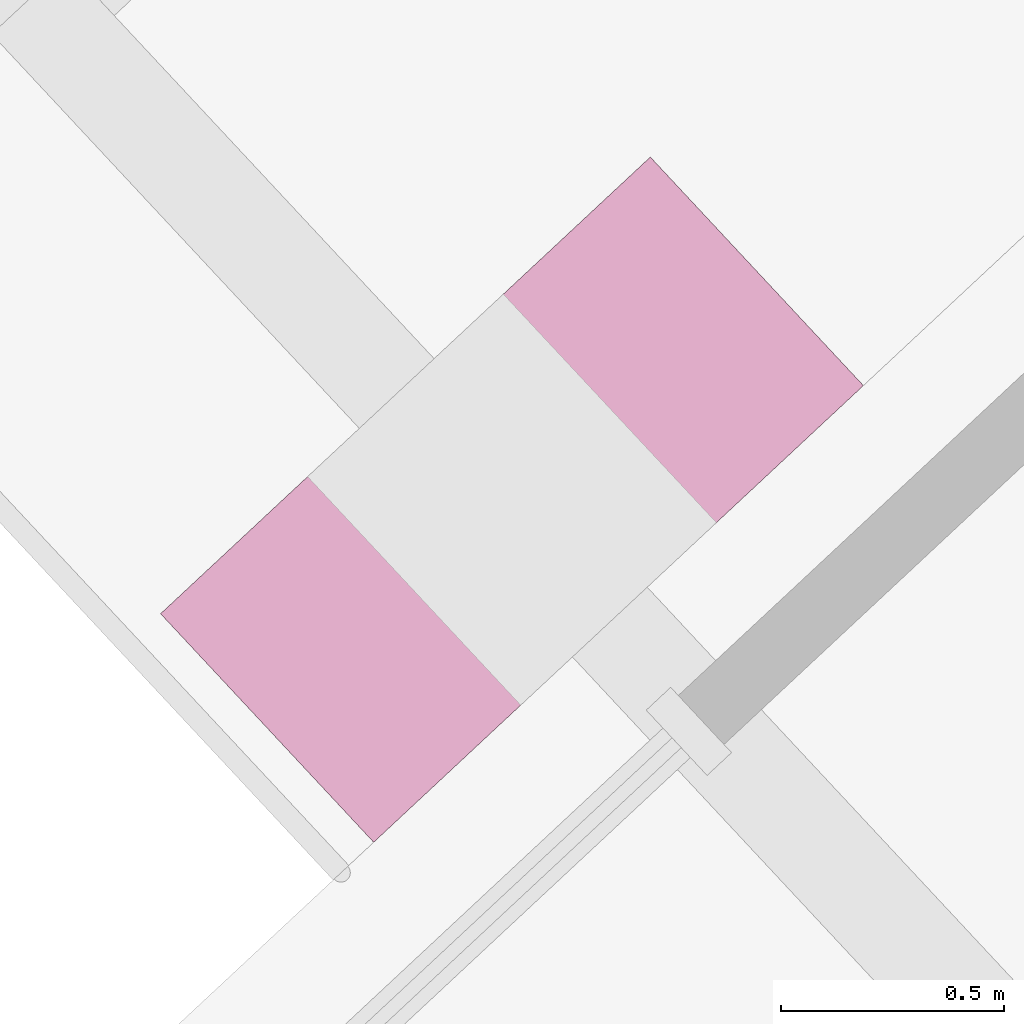
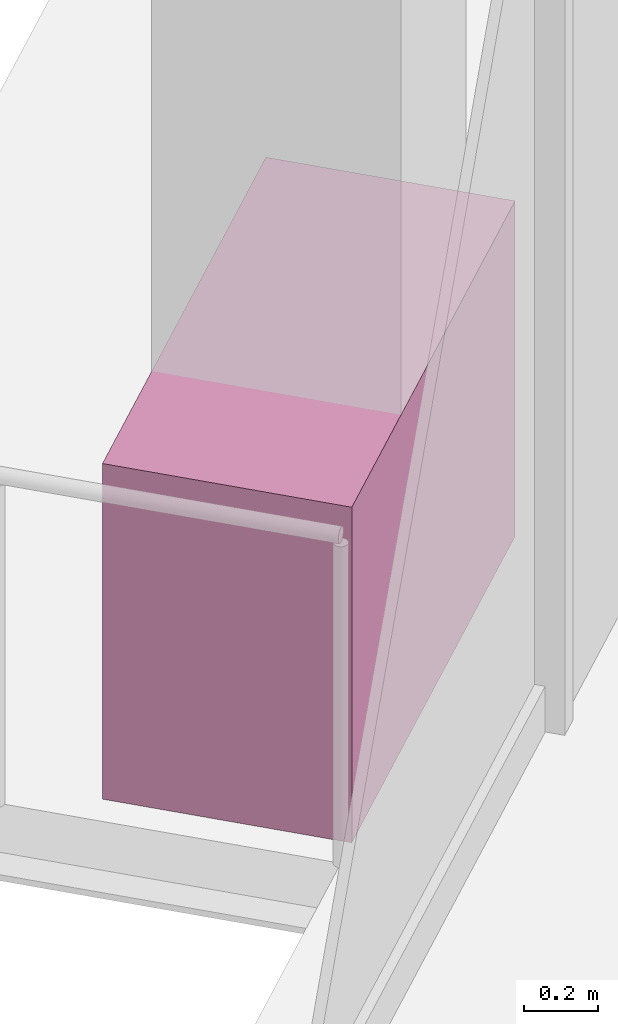
# One storey, part 16 of 17: 1 furniture element.
"""IFC4 building model written with IfcOpenShell, lengths in metres."""

from ifc_helpers import new_model, si_unit, direction, frame, origin, origin_2d, place, context, subcontext, project, spatial, rectangle, extrude, source, transform, mapped, material, type_object, element, save


model = new_model("IFC4")

# Units and contexts
model_context = context("Model", 3, precision=1e-05, world=origin(), true_north=direction((0.0, 1.0)))
body_context = subcontext(model_context, "Body", "Model", "MODEL_VIEW")
ifc_project = project(units=[si_unit("LENGTHUNIT", "METRE"), si_unit("AREAUNIT", "SQUARE_METRE"), si_unit("VOLUMEUNIT", "CUBIC_METRE"), si_unit("PLANEANGLEUNIT", "RADIAN"), si_unit("MASSUNIT", "GRAM", prefix="KILO")], contexts=[model_context])

# Site, building, storey
site_placement = place(None, origin())
site = spatial("IfcSite", under=ifc_project, at=site_placement, CompositionType="ELEMENT")
building_placement = place(site_placement, origin())
building = spatial("IfcBuilding", under=site, at=building_placement, Name="Triune Harvest Tower", CompositionType="ELEMENT")
storey_placement = place(building_placement, frame((0.0, 0.0, 123.5)))
storey = spatial("IfcBuildingStorey", under=building, at=storey_placement, Name="L31", CompositionType="ELEMENT", Elevation=123.5)

# Furniture
ifc_material = material(Name="Concrete 40 MPa", Category="concrete")
furniture_type = type_object("IfcFurnitureType", Name="PB-1 structural planter", AssemblyPlace="SITE", PredefinedType="USERDEFINED", material=ifc_material)
shared_shape = source(origin(), body_context, "Body", "SweptSolid", [
    extrude(rectangle(XDim=1.5, YDim=0.699951171875, at=origin_2d()), origin(), (0.0, 0.0, 1.0), 1.10009765625),
])
furniture_placement = place(storey_placement, frame((-15.444091796875, 16.60107421875, 0.0), z_axis=(0.0, 0.0, 1.0), x_axis=(-0.73135336394, -0.681998722179, 0.0)))
element("IfcFurniture", 1, at=furniture_placement, inside=storey, type_object=furniture_type, Name="Planter B3-F3 L31.6b", ObjectType="PLANTER", PredefinedType="USERDEFINED", context=body_context, shape_type="MappedRepresentation", body=[
    mapped(shared_shape, transform((0.0, 0.0, 0.0), scale=1.0)),
])

save(model, "model.ifc")
